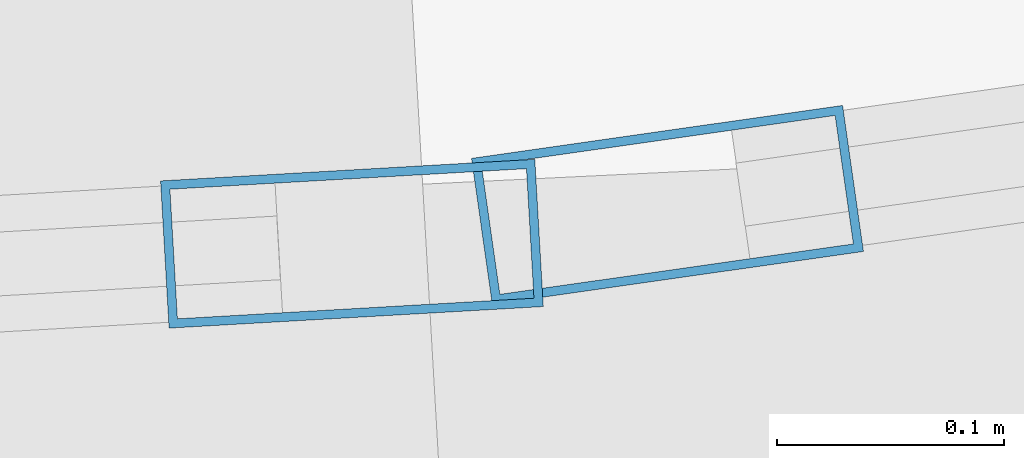
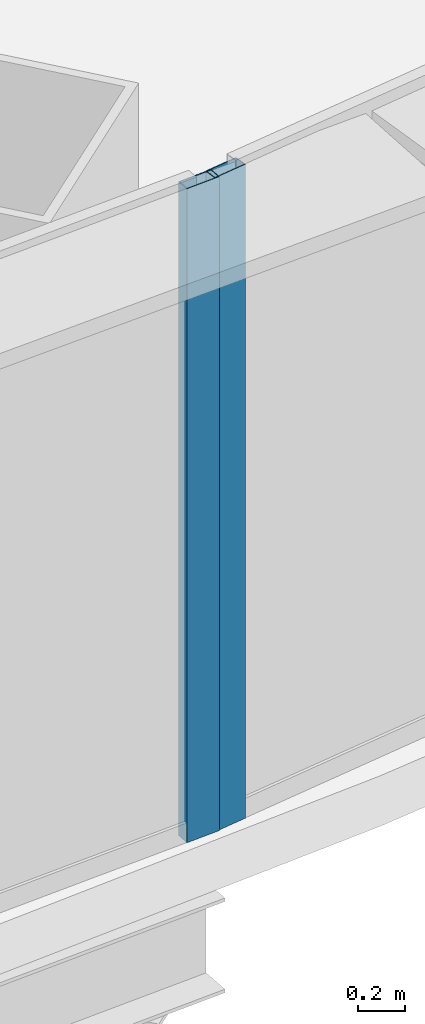
# One storey, part 12 of 40: 2 members, 2 elements without a shape of their own.
"""IFC4 building model written with IfcOpenShell, lengths in metres."""

from ifc_helpers import new_model, si_unit, direction, frame, origin, origin_2d, place, context, subcontext, project, spatial, hollow_rectangle, extrude, source, transform, mapped, material, layer, layer_set, material_profile, profile_set, type_object, element, aggregate, save


model = new_model("IFC4")

# Units and contexts
model_context = context("Model", 3, precision=1e-05, world=origin(), true_north=direction((0.0, 1.0)))
body_context = subcontext(model_context, "Body", "Model", "MODEL_VIEW")
ifc_project = project(units=[si_unit("LENGTHUNIT", "METRE"), si_unit("AREAUNIT", "SQUARE_METRE"), si_unit("VOLUMEUNIT", "CUBIC_METRE"), si_unit("PLANEANGLEUNIT", "RADIAN"), si_unit("MASSUNIT", "GRAM", prefix="KILO"), si_unit("THERMODYNAMICTEMPERATUREUNIT", "KELVIN"), si_unit("POWERUNIT", "WATT")], contexts=[model_context])

# Site, building, storey
site_placement = place(None, origin())
site = spatial("IfcSite", under=ifc_project, at=site_placement, CompositionType="ELEMENT")
building_placement = place(site_placement, origin())
building = spatial("IfcBuilding", under=site, at=building_placement, Name="Yunzhuo Pagoda Commons", CompositionType="ELEMENT")
storey_placement = place(building_placement, frame((0.0, 0.0, 66.699951171875)))
storey = spatial("IfcBuildingStorey", under=building, at=storey_placement, Name="L17", CompositionType="ELEMENT", Elevation=66.699951171875)

# Curtain wall, member
ifc_material = material(Name="Anodized aluminium 6063-T6", Category="aluminium")
ifc_layer = layer(ifc_material, 0.1650390625)
ifc_layer_set = layer_set([ifc_layer], Name="Anodized aluminium 6063-T6")
curtain_wall_type = type_object("IfcCurtainWallType", Name="CW-LOW Low-Zone Ribbon Curtain Wall", PredefinedType="NOTDEFINED", material=ifc_layer_set)
curtain_wall_1_placement = place(storey_placement, origin())
curtain_wall_1 = element("IfcCurtainWall", 1, at=curtain_wall_1_placement, inside=storey, type_object=curtain_wall_type, Name="L17 curtain wall CW-L17-F1B4", PredefinedType="NOTDEFINED")
ifc_material_profile = material_profile(ifc_material, hollow_rectangle(XDim=0.06494140625, YDim=0.1650390625, WallThickness=0.00390625, at=origin_2d()), Name="Anodized aluminium 6063-T6")
ifc_profile_set = profile_set([ifc_material_profile], Name="Anodized aluminium 6063-T6")
member_type = type_object("IfcMemberType", Name="CW-LOW-M Mullion RHS 165x65x4", PredefinedType="MULLION", material=ifc_profile_set)
shared_shape = source(origin(), body_context, "Body", "SweptSolid", [
    extrude(hollow_rectangle(XDim=0.06494140625, YDim=0.1650390625, WallThickness=0.00390625, at=origin_2d()), origin(), (0.0, 0.0, 1.0), 3.3701171875),
])
member_1_placement = place(storey_placement, frame((66.142333984375, 12.0380859375, 0.0), z_axis=(0.0, 0.0, 1.0), x_axis=(-0.057542190557, 0.998343075454, 0.0)))
member_1 = element("IfcMember", 2, at=member_1_placement, type_object=member_type, Name="CW mullion 2", PredefinedType="MULLION", context=body_context, shape_type="MappedRepresentation", body=[
    mapped(shared_shape, transform((0.0, 0.0, 0.0), scale=1.0)),
])
aggregate(curtain_wall_1, [member_1])

curtain_wall_2_placement = place(storey_placement, origin())
curtain_wall_2 = element("IfcCurtainWall", 3, at=curtain_wall_2_placement, inside=storey, type_object=curtain_wall_type, Name="L17 curtain wall CW-L17-F1B5", PredefinedType="NOTDEFINED")
member_2_placement = place(storey_placement, frame((66.28125, 12.05517578125, 0.0), z_axis=(0.0, 0.0, 1.0), x_axis=(-0.141139872999, 0.989989664719, 0.0)))
member_2 = element("IfcMember", 4, at=member_2_placement, type_object=member_type, Name="CW mullion 1", PredefinedType="MULLION", context=body_context, shape_type="MappedRepresentation", body=[
    mapped(shared_shape, transform((0.0, 0.0, 0.0), scale=1.0)),
])
aggregate(curtain_wall_2, [member_2])

save(model, "model.ifc")
